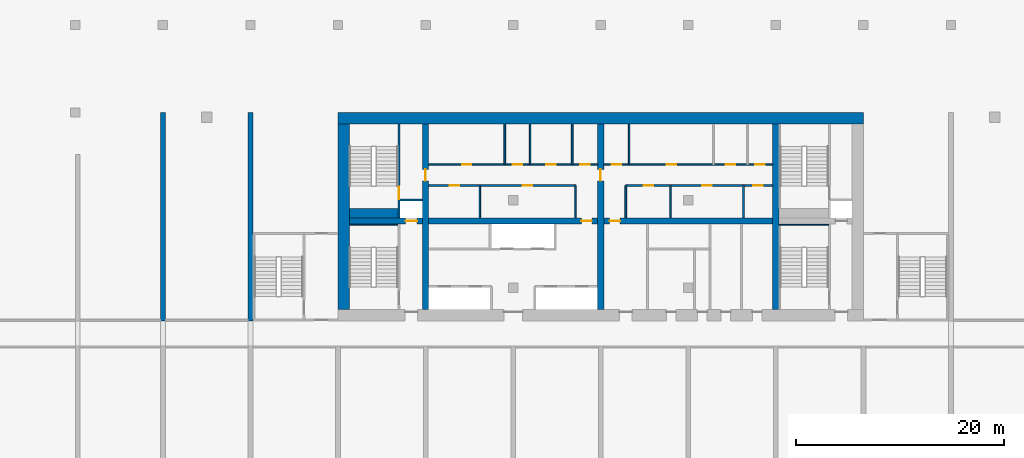
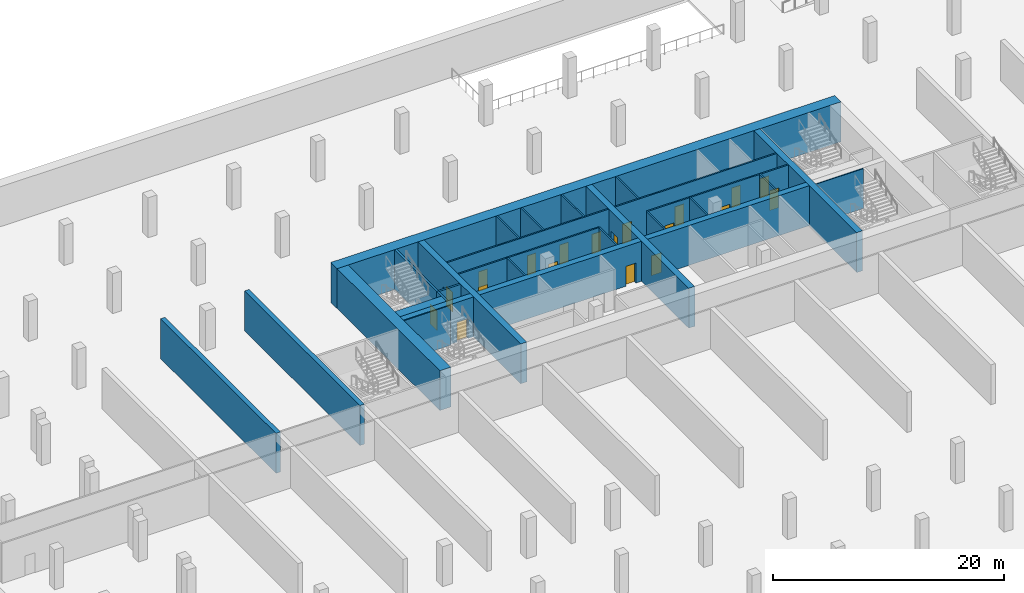
# One storey, part 7 of 12: 29 walls, 19 doors, 19 openings.
"""IFC4 building model written with IfcOpenShell, lengths in metres."""

from ifc_helpers import new_model, si_unit, direction, frame, frame_2d, origin, place, context, subcontext, project, spatial, rectangle, extrude, source, transform, mapped, material, layer, layer_set, type_object, element, fill, save


model = new_model("IFC4")

# Units and contexts
model_context = context("Model", 3, precision=1e-05, world=origin(), true_north=direction((0.0, 1.0)))
body_context = subcontext(model_context, "Body", "Model", "MODEL_VIEW")
ifc_project = project(units=[si_unit("LENGTHUNIT", "METRE"), si_unit("AREAUNIT", "SQUARE_METRE"), si_unit("VOLUMEUNIT", "CUBIC_METRE"), si_unit("PLANEANGLEUNIT", "RADIAN"), si_unit("MASSUNIT", "GRAM", prefix="KILO")], contexts=[model_context])

# Site, building, storey
site_placement = place(None, origin())
site = spatial("IfcSite", under=ifc_project, at=site_placement, CompositionType="ELEMENT")
building_placement = place(site_placement, origin())
building = spatial("IfcBuilding", under=site, at=building_placement, Name="Vanashikhar Sky Hotel", CompositionType="ELEMENT")
storey_placement = place(building_placement, frame((0.0, 0.0, -4.5)))
storey = spatial("IfcBuildingStorey", under=building, at=storey_placement, Name="B1", CompositionType="ELEMENT", Elevation=-4.5)

# Walls
ifc_material_1 = material(Name="Concrete M80", Category="concrete")
ifc_layer_1 = layer(ifc_material_1, 1.10009765625)
ifc_layer_set_1 = layer_set([ifc_layer_1], Name="RC core shell wall 1100 Concrete M80")
wall_type_1 = type_object("IfcWallType", Name="RC core shell wall 1100 Concrete M80", PredefinedType="SHEAR", material=ifc_layer_set_1)
shared_shape_1 = source(origin(), body_context, "Body", "SweptSolid", [
    extrude(rectangle(XDim=50.400146484375, YDim=1.10009765625, at=frame_2d((25.2001953125, 0.0))), origin(), (0.0, 0.0, 1.0), 4.219970703125),
])
wall_1_placement = place(storey_placement, frame((25.199951171875, 41.449951171875, 0.0), z_axis=(0.0, 0.0, 1.0), x_axis=(1.0, 0.0, 0.0)))
element("IfcWall", 1, at=wall_1_placement, inside=storey, type_object=wall_type_1, Name="KW-B1-KN", PredefinedType="SHEAR", context=body_context, shape_type="MappedRepresentation", body=[
    mapped(shared_shape_1, transform((0.0, 0.0, 0.0), scale=1.0)),
])
shared_shape_2 = source(origin(), body_context, "Body", "SweptSolid", [
    extrude(rectangle(XDim=17.7998046875, YDim=1.10009765625, at=frame_2d((8.89990234375, 0.0))), origin(), (0.0, 0.0, 1.0), 4.219970703125),
])
wall_2_placement = place(storey_placement, frame((25.75, 23.10009765625, 0.0), z_axis=(0.0, 0.0, 1.0), x_axis=(0.0, 1.0, 0.0)))
element("IfcWall", 2, at=wall_2_placement, inside=storey, type_object=wall_type_1, Name="KW-B1-KW", PredefinedType="SHEAR", context=body_context, shape_type="MappedRepresentation", body=[
    mapped(shared_shape_2, transform((0.0, 0.0, 0.0), scale=1.0)),
])

# Wall, opening, door
ifc_layer_2 = layer(ifc_material_1, 0.60009765625)
ifc_layer_set_2 = layer_set([ifc_layer_2], Name="RC core inner wall 600 Concrete M80")
wall_type_2 = type_object("IfcWallType", Name="RC core inner wall 600 Concrete M80", PredefinedType="SHEAR", material=ifc_layer_set_2)
shared_shape_3 = source(origin(), body_context, "Body", "SweptSolid", [
    extrude(rectangle(XDim=17.7998046875, YDim=0.60009765625, at=frame_2d((8.89990234375, 0.0))), origin(), (0.0, 0.0, 1.0), 4.219970703125),
])
wall_3_placement = place(storey_placement, frame((33.60009765625, 23.10009765625, 0.0), z_axis=(0.0, 0.0, 1.0), x_axis=(0.0, 1.0, 0.0)))
wall_3 = element("IfcWall", 3, at=wall_3_placement, inside=storey, type_object=wall_type_2, Name="KW-B1-KX1", PredefinedType="SHEAR", context=body_context, shape_type="MappedRepresentation", body=[
    mapped(shared_shape_3, transform((0.0, 0.0, 0.0), scale=1.0)),
])
shared_shape_4 = source(origin(), body_context, "Body", "SweptSolid", [
    extrude(rectangle(XDim=1.10009765625, YDim=2.10009765625, at=frame_2d((0.550048828125, 1.050048828125))), frame((0.0, 0.31005859375, 0.0), z_axis=(0.0, -1.0, 0.0), x_axis=(1.0, 0.0, 0.0)), (0.0, 0.0, 1.0), 0.6201171875),
])
opening_1_placement = place(wall_3_placement, frame((12.35009765625, 0.0, 0.0)))
opening_1 = element("IfcOpeningElement", 4, at=opening_1_placement, cuts=wall_3, Name="Opening DC-4-C", PredefinedType="OPENING", context=body_context, shape_type="MappedRepresentation", body=[
    mapped(shared_shape_4, transform((0.0, 0.0, 0.0), scale=1.0)),
])
ifc_material_2 = material(Name="Steel", Category="steel")
door_type_1 = type_object("IfcDoorType", Name="Service door 1100 FD60", OperationType="NOTDEFINED", PredefinedType="DOOR", material=ifc_material_2)
shared_shape_5 = source(origin(), body_context, "Body", "SweptSolid", [
    extrude(rectangle(XDim=1.10009765625, YDim=2.10009765625, at=frame_2d((0.550048828125, 1.050048828125))), frame((0.0, 0.02490234375, 0.0), z_axis=(0.0, -1.0, 0.0), x_axis=(1.0, 0.0, 0.0)), (0.0, 0.0, 1.0), 0.050048828125),
])
door_1_placement = place(opening_1_placement, origin())
door_1 = element("IfcDoor", 5, at=door_1_placement, inside=storey, type_object=door_type_1, Name="Service door 1100 FD60", OperationType="SINGLE_SWING_RIGHT", OverallHeight=2.10009765625, OverallWidth=1.10009765625, PredefinedType="DOOR", context=body_context, shape_type="MappedRepresentation", body=[
    mapped(shared_shape_5, transform((0.0, 0.0, 0.0), scale=1.0)),
])
fill(opening_1, door_1)

wall_4_placement = place(storey_placement, frame((50.39990234375, 23.10009765625, 0.0), z_axis=(0.0, 0.0, 1.0), x_axis=(0.0, 1.0, 0.0)))
wall_4 = element("IfcWall", 6, at=wall_4_placement, inside=storey, type_object=wall_type_2, Name="KW-B1-KX2", PredefinedType="SHEAR", context=body_context, shape_type="MappedRepresentation", body=[
    mapped(shared_shape_3, transform((0.0, 0.0, 0.0), scale=1.0)),
])
opening_2_placement = place(wall_4_placement, frame((12.35009765625, 0.0, 0.0)))
opening_2 = element("IfcOpeningElement", 7, at=opening_2_placement, cuts=wall_4, Name="Opening DC-4-C", PredefinedType="OPENING", context=body_context, shape_type="MappedRepresentation", body=[
    mapped(shared_shape_4, transform((0.0, 0.0, 0.0), scale=1.0)),
])
door_2_placement = place(opening_2_placement, origin())
door_2 = element("IfcDoor", 8, at=door_2_placement, inside=storey, type_object=door_type_1, Name="Service door 1100 FD60", OperationType="SINGLE_SWING_LEFT", OverallHeight=2.10009765625, OverallWidth=1.10009765625, PredefinedType="DOOR", context=body_context, shape_type="MappedRepresentation", body=[
    mapped(shared_shape_5, transform((0.0, 0.0, 0.0), scale=1.0)),
])
fill(opening_2, door_2)

# Wall
wall_5_placement = place(storey_placement, frame((67.199951171875, 23.10009765625, 0.0), z_axis=(0.0, 0.0, 1.0), x_axis=(0.0, 1.0, 0.0)))
element("IfcWall", 9, at=wall_5_placement, inside=storey, type_object=wall_type_2, Name="KW-B1-KX3", PredefinedType="SHEAR", context=body_context, shape_type="MappedRepresentation", body=[
    mapped(shared_shape_3, transform((0.0, 0.0, 0.0), scale=1.0)),
])

# Wall, opening, door
shared_shape_6 = source(origin(), body_context, "Body", "SweptSolid", [
    extrude(rectangle(XDim=7.0, YDim=0.60009765625, at=frame_2d((3.5, 0.0))), origin(), (0.0, 0.0, 1.0), 4.219970703125),
])
wall_6_placement = place(storey_placement, frame((26.300048828125, 31.60009765625, 0.0), z_axis=(0.0, 0.0, 1.0), x_axis=(1.0, 0.0, 0.0)))
wall_6 = element("IfcWall", 10, at=wall_6_placement, inside=storey, type_object=wall_type_2, Name="KW-B1-KY1", PredefinedType="SHEAR", context=body_context, shape_type="MappedRepresentation", body=[
    mapped(shared_shape_6, transform((0.0, 0.0, 0.0), scale=1.0)),
])
opening_3_placement = place(wall_6_placement, frame((5.375, 0.0, 0.0)))
opening_3 = element("IfcOpeningElement", 11, at=opening_3_placement, cuts=wall_6, Name="Opening LD", PredefinedType="OPENING", context=body_context, shape_type="MappedRepresentation", body=[
    mapped(shared_shape_4, transform((0.0, 0.0, 0.0), scale=1.0)),
])
ifc_material_3 = material(Name="Stainless steel", Category="steel")
door_type_2 = type_object("IfcDoorType", Name="Lift landing door 1100", OperationType="NOTDEFINED", PredefinedType="DOOR", material=ifc_material_3)
door_3_placement = place(opening_3_placement, origin())
door_3 = element("IfcDoor", 12, at=door_3_placement, inside=storey, type_object=door_type_2, Name="Lift landing door 1100", OperationType="SLIDING_TO_RIGHT", OverallHeight=2.10009765625, OverallWidth=1.10009765625, PredefinedType="DOOR", context=body_context, shape_type="MappedRepresentation", body=[
    mapped(shared_shape_5, transform((0.0, 0.0, 0.0), scale=1.0)),
])
fill(opening_3, door_3)

shared_shape_7 = source(origin(), body_context, "Body", "SweptSolid", [
    extrude(rectangle(XDim=16.2001953125, YDim=0.60009765625, at=frame_2d((8.10009765625, 0.0))), origin(), (0.0, 0.0, 1.0), 4.219970703125),
])
wall_7_placement = place(storey_placement, frame((33.89990234375, 31.60009765625, 0.0), z_axis=(0.0, 0.0, 1.0), x_axis=(1.0, 0.0, 0.0)))
wall_7 = element("IfcWall", 13, at=wall_7_placement, inside=storey, type_object=wall_type_2, Name="KW-B1-KY2", PredefinedType="SHEAR", context=body_context, shape_type="MappedRepresentation", body=[
    mapped(shared_shape_7, transform((0.0, 0.0, 0.0), scale=1.0)),
])
shared_shape_8 = source(origin(), body_context, "Body", "SweptSolid", [
    extrude(rectangle(XDim=1.0, YDim=2.10009765625, at=frame_2d((0.5, 1.050048828125))), frame((0.0, 0.31005859375, 0.0), z_axis=(0.0, -1.0, 0.0), x_axis=(1.0, 0.0, 0.0)), (0.0, 0.0, 1.0), 0.6201171875),
])
opening_4_placement = place(wall_7_placement, frame((14.64990234375, 0.0, 0.0)))
opening_4 = element("IfcOpeningElement", 14, at=opening_4_placement, cuts=wall_7, Name="Opening DC-4", PredefinedType="OPENING", context=body_context, shape_type="MappedRepresentation", body=[
    mapped(shared_shape_8, transform((0.0, 0.0, 0.0), scale=1.0)),
])
door_type_3 = type_object("IfcDoorType", Name="Service door 1000 FD60", OperationType="NOTDEFINED", PredefinedType="DOOR", material=ifc_material_2)
shared_shape_9 = source(origin(), body_context, "Body", "SweptSolid", [
    extrude(rectangle(XDim=1.0, YDim=2.10009765625, at=frame_2d((0.5, 1.050048828125))), frame((0.0, 0.02490234375, 0.0), z_axis=(0.0, -1.0, 0.0), x_axis=(1.0, 0.0, 0.0)), (0.0, 0.0, 1.0), 0.050048828125),
])
door_4_placement = place(opening_4_placement, origin())
door_4 = element("IfcDoor", 15, at=door_4_placement, inside=storey, type_object=door_type_3, Name="Service door 1000 FD60", OperationType="SINGLE_SWING_RIGHT", OverallHeight=2.10009765625, OverallWidth=1.0, PredefinedType="DOOR", context=body_context, shape_type="MappedRepresentation", body=[
    mapped(shared_shape_9, transform((0.0, 0.0, 0.0), scale=1.0)),
])
fill(opening_4, door_4)

shared_shape_10 = source(origin(), body_context, "Body", "SweptSolid", [
    extrude(rectangle(XDim=16.199951171875, YDim=0.60009765625, at=frame_2d((8.10009765625, 0.0))), origin(), (0.0, 0.0, 1.0), 4.219970703125),
])
wall_8_placement = place(storey_placement, frame((50.699951171875, 31.60009765625, 0.0), z_axis=(0.0, 0.0, 1.0), x_axis=(1.0, 0.0, 0.0)))
wall_8 = element("IfcWall", 16, at=wall_8_placement, inside=storey, type_object=wall_type_2, Name="KW-B1-KY3", PredefinedType="SHEAR", context=body_context, shape_type="MappedRepresentation", body=[
    mapped(shared_shape_10, transform((0.0, 0.0, 0.0), scale=1.0)),
])
opening_5_placement = place(wall_8_placement, frame((0.550048828125, 0.0, 0.0)))
opening_5 = element("IfcOpeningElement", 17, at=opening_5_placement, cuts=wall_8, Name="Opening DC-4", PredefinedType="OPENING", context=body_context, shape_type="MappedRepresentation", body=[
    mapped(shared_shape_8, transform((0.0, 0.0, 0.0), scale=1.0)),
])
door_5_placement = place(opening_5_placement, origin())
door_5 = element("IfcDoor", 18, at=door_5_placement, inside=storey, type_object=door_type_3, Name="Service door 1000 FD60", OperationType="SINGLE_SWING_RIGHT", OverallHeight=2.10009765625, OverallWidth=1.0, PredefinedType="DOOR", context=body_context, shape_type="MappedRepresentation", body=[
    mapped(shared_shape_9, transform((0.0, 0.0, 0.0), scale=1.0)),
])
fill(opening_5, door_5)

# Walls
ifc_layer_3 = layer(ifc_material_1, 0.449951171875)
ifc_layer_set_3 = layer_set([ifc_layer_3], Name="RC shear wall 450 Concrete M80")
wall_type_3 = type_object("IfcWallType", Name="RC shear wall 450 Concrete M80", PredefinedType="SHEAR", material=ifc_layer_set_3)
shared_shape_11 = source(origin(), body_context, "Body", "SweptSolid", [
    extrude(rectangle(XDim=20.0, YDim=0.449951171875, at=frame_2d((10.0, 0.0))), origin(), (0.0, 0.0, 1.0), 4.219970703125),
])
for number, where, z_axis, x_axis, name in (
    (19, (8.39990234375, 22.0, 0.0), (0.0, 0.0, 1.0), (0.0, 1.0, 0.0), "CW-B1-XW02-2"),
    (20, (16.800048828125, 22.0, 0.0), (0.0, 0.0, 1.0), (0.0, 1.0, 0.0), "CW-B1-XW03-2"),
):
    element("IfcWall", number, at=place(storey_placement, frame(where, z_axis=z_axis, x_axis=x_axis)), inside=storey, type_object=wall_type_3, Name=name, PredefinedType="SHEAR", context=body_context, shape_type="MappedRepresentation", body=[
        mapped(shared_shape_11, transform((0.0, 0.0, 0.0), scale=1.0)),
    ])
ifc_material_4 = material(Name="Gypsum board partition")
ifc_layer_4 = layer(ifc_material_4, 0.14990234375)
ifc_layer_set_4 = layer_set([ifc_layer_4], Name="Service partition 150")
wall_type_4 = type_object("IfcWallType", Name="Service partition 150", PredefinedType="PARTITIONING", material=ifc_layer_set_4)
shared_shape_12 = source(origin(), body_context, "Body", "SweptSolid", [
    extrude(rectangle(XDim=3.10009765625, YDim=0.14990234375, at=frame_2d((1.550048828125, 0.0))), origin(), (0.0, 0.0, 1.0), 4.219970703125),
])
for number, where, z_axis, x_axis, name in (
    (21, (48.0, 31.89990234375, 0.0), (0.0, 0.0, 1.0), (0.0, 1.0, 0.0), "Service partition 150"),
    (22, (38.80908203125, 31.89990234375, 0.0), (0.0, 0.0, 1.0), (0.0, 1.0, 0.0), "Service partition 150"),
    (23, (52.800048828125, 31.89990234375, 0.0), (0.0, 0.0, 1.0), (0.0, 1.0, 0.0), "Service partition 150"),
    (24, (64.094970703125, 31.89990234375, 0.0), (0.0, 0.0, 1.0), (0.0, 1.0, 0.0), "Service partition 150"),
    (25, (57.08203125, 31.89990234375, 0.0), (0.0, 0.0, 1.0), (0.0, 1.0, 0.0), "Service partition 150"),
):
    element("IfcWall", number, at=place(storey_placement, frame(where, z_axis=z_axis, x_axis=x_axis)), inside=storey, type_object=wall_type_4, Name=name, PredefinedType="PARTITIONING", context=body_context, shape_type="MappedRepresentation", body=[
        mapped(shared_shape_12, transform((0.0, 0.0, 0.0), scale=1.0)),
    ])

# Wall, openings, doors
shared_shape_13 = source(origin(), body_context, "Body", "SweptSolid", [
    extrude(rectangle(XDim=14.10009765625, YDim=0.14990234375, at=frame_2d((7.050048828125, 0.0))), origin(), (0.0, 0.0, 1.0), 4.219970703125),
])
wall_9_placement = place(storey_placement, frame((33.89990234375, 35.0, 0.0), z_axis=(0.0, 0.0, 1.0), x_axis=(1.0, 0.0, 0.0)))
wall_9 = element("IfcWall", 26, at=wall_9_placement, inside=storey, type_object=wall_type_4, Name="Service partition 150", PredefinedType="PARTITIONING", context=body_context, shape_type="MappedRepresentation", body=[
    mapped(shared_shape_13, transform((0.0, 0.0, 0.0), scale=1.0)),
])
shared_shape_14 = source(origin(), body_context, "Body", "SweptSolid", [
    extrude(rectangle(XDim=0.89990234375, YDim=2.10009765625, at=frame_2d((0.449951171875, 1.050048828125))), frame((0.0, 0.0849609375, 0.0), z_axis=(0.0, -1.0, 0.0), x_axis=(1.0, 0.0, 0.0)), (0.0, 0.0, 1.0), 0.169921875),
])
opening_6_placement = place(wall_9_placement, frame((2.00390625, 0.0, 0.0)))
opening_6 = element("IfcOpeningElement", 27, at=opening_6_placement, cuts=wall_9, Name="Opening DC-4-A", PredefinedType="OPENING", context=body_context, shape_type="MappedRepresentation", body=[
    mapped(shared_shape_14, transform((0.0, 0.0, 0.0), scale=1.0)),
])
opening_7_placement = place(wall_9_placement, frame((9.01708984375, 0.0, 0.0)))
opening_7 = element("IfcOpeningElement", 28, at=opening_7_placement, cuts=wall_9, Name="Opening DC-4-A", PredefinedType="OPENING", context=body_context, shape_type="MappedRepresentation", body=[
    mapped(shared_shape_14, transform((0.0, 0.0, 0.0), scale=1.0)),
])
door_type_4 = type_object("IfcDoorType", Name="Service door 900 FD60", OperationType="NOTDEFINED", PredefinedType="DOOR", material=ifc_material_2)
shared_shape_15 = source(origin(), body_context, "Body", "SweptSolid", [
    extrude(rectangle(XDim=0.89990234375, YDim=2.10009765625, at=frame_2d((0.449951171875, 1.050048828125))), frame((0.0, 0.02490234375, 0.0), z_axis=(0.0, -1.0, 0.0), x_axis=(1.0, 0.0, 0.0)), (0.0, 0.0, 1.0), 0.050048828125),
])
door_6_placement = place(opening_6_placement, origin())
door_6 = element("IfcDoor", 29, at=door_6_placement, inside=storey, type_object=door_type_4, Name="Service door 900 FD60", OperationType="SINGLE_SWING_LEFT", OverallHeight=2.10009765625, OverallWidth=0.89990234375, PredefinedType="DOOR", context=body_context, shape_type="MappedRepresentation", body=[
    mapped(shared_shape_15, transform((0.0, 0.0, 0.0), scale=1.0)),
])
fill(opening_6, door_6)
door_7_placement = place(opening_7_placement, origin())
door_7 = element("IfcDoor", 30, at=door_7_placement, inside=storey, type_object=door_type_4, Name="Service door 900 FD60", OperationType="SINGLE_SWING_RIGHT", OverallHeight=2.10009765625, OverallWidth=0.89990234375, PredefinedType="DOOR", context=body_context, shape_type="MappedRepresentation", body=[
    mapped(shared_shape_15, transform((0.0, 0.0, 0.0), scale=1.0)),
])
fill(opening_7, door_7)

shared_shape_16 = source(origin(), body_context, "Body", "SweptSolid", [
    extrude(rectangle(XDim=16.2001953125, YDim=0.14990234375, at=frame_2d((8.10009765625, 0.0))), origin(), (0.0, 0.0, 1.0), 4.219970703125),
])
wall_10_placement = place(storey_placement, frame((33.89990234375, 37.0, 0.0), z_axis=(0.0, 0.0, 1.0), x_axis=(1.0, 0.0, 0.0)))
wall_10 = element("IfcWall", 31, at=wall_10_placement, inside=storey, type_object=wall_type_4, Name="Service partition 150", PredefinedType="PARTITIONING", context=body_context, shape_type="MappedRepresentation", body=[
    mapped(shared_shape_16, transform((0.0, 0.0, 0.0), scale=1.0)),
])
opening_8_placement = place(wall_10_placement, frame((3.195068359375, 0.0, 0.0)))
opening_8 = element("IfcOpeningElement", 32, at=opening_8_placement, cuts=wall_10, Name="Opening DC-4-A", PredefinedType="OPENING", context=body_context, shape_type="MappedRepresentation", body=[
    mapped(shared_shape_14, transform((0.0, 0.0, 0.0), scale=1.0)),
])
opening_9_placement = place(wall_10_placement, frame((8.054931640625, 0.0, 0.0)))
opening_9 = element("IfcOpeningElement", 33, at=opening_9_placement, cuts=wall_10, Name="Opening DC-4-A", PredefinedType="OPENING", context=body_context, shape_type="MappedRepresentation", body=[
    mapped(shared_shape_14, transform((0.0, 0.0, 0.0), scale=1.0)),
])
opening_10_placement = place(wall_10_placement, frame((11.294921875, 0.0, 0.0)))
opening_10 = element("IfcOpeningElement", 34, at=opening_10_placement, cuts=wall_10, Name="Opening DC-4-A", PredefinedType="OPENING", context=body_context, shape_type="MappedRepresentation", body=[
    mapped(shared_shape_14, transform((0.0, 0.0, 0.0), scale=1.0)),
])
opening_11_placement = place(wall_10_placement, frame((14.534912109375, 0.0, 0.0)))
opening_11 = element("IfcOpeningElement", 35, at=opening_11_placement, cuts=wall_10, Name="Opening DC-4-A", PredefinedType="OPENING", context=body_context, shape_type="MappedRepresentation", body=[
    mapped(shared_shape_14, transform((0.0, 0.0, 0.0), scale=1.0)),
])
door_8_placement = place(opening_8_placement, origin())
door_8 = element("IfcDoor", 36, at=door_8_placement, inside=storey, type_object=door_type_4, Name="Service door 900 FD60", OperationType="SINGLE_SWING_RIGHT", OverallHeight=2.10009765625, OverallWidth=0.89990234375, PredefinedType="DOOR", context=body_context, shape_type="MappedRepresentation", body=[
    mapped(shared_shape_15, transform((0.0, 0.0, 0.0), scale=1.0)),
])
fill(opening_8, door_8)
door_9_placement = place(opening_9_placement, origin())
door_9 = element("IfcDoor", 37, at=door_9_placement, inside=storey, type_object=door_type_4, Name="Service door 900 FD60", OperationType="SINGLE_SWING_RIGHT", OverallHeight=2.10009765625, OverallWidth=0.89990234375, PredefinedType="DOOR", context=body_context, shape_type="MappedRepresentation", body=[
    mapped(shared_shape_15, transform((0.0, 0.0, 0.0), scale=1.0)),
])
fill(opening_9, door_9)
door_10_placement = place(opening_10_placement, origin())
door_10 = element("IfcDoor", 38, at=door_10_placement, inside=storey, type_object=door_type_4, Name="Service door 900 FD60", OperationType="SINGLE_SWING_LEFT", OverallHeight=2.10009765625, OverallWidth=0.89990234375, PredefinedType="DOOR", context=body_context, shape_type="MappedRepresentation", body=[
    mapped(shared_shape_15, transform((0.0, 0.0, 0.0), scale=1.0)),
])
fill(opening_10, door_10)
door_11_placement = place(opening_11_placement, origin())
door_11 = element("IfcDoor", 39, at=door_11_placement, inside=storey, type_object=door_type_4, Name="Service door 900 FD60", OperationType="SINGLE_SWING_LEFT", OverallHeight=2.10009765625, OverallWidth=0.89990234375, PredefinedType="DOOR", context=body_context, shape_type="MappedRepresentation", body=[
    mapped(shared_shape_15, transform((0.0, 0.0, 0.0), scale=1.0)),
])
fill(opening_11, door_11)

# Walls
shared_shape_17 = source(origin(), body_context, "Body", "SweptSolid", [
    extrude(rectangle(XDim=3.89990234375, YDim=0.14990234375, at=frame_2d((1.949951171875, 0.0))), origin(), (0.0, 0.0, 1.0), 4.219970703125),
])
for number, where, z_axis, x_axis, name in (
    (40, (41.18994140625, 37.0, 0.0), (0.0, 0.0, 1.0), (0.0, 1.0, 0.0), "Service partition 150"),
    (41, (43.6201171875, 37.0, 0.0), (0.0, 0.0, 1.0), (0.0, 1.0, 0.0), "Service partition 150"),
    (42, (47.669921875, 37.0, 0.0), (0.0, 0.0, 1.0), (0.0, 1.0, 0.0), "Service partition 150"),
    (43, (53.1298828125, 37.0, 0.0), (0.0, 0.0, 1.0), (0.0, 1.0, 0.0), "Service partition 150"),
):
    element("IfcWall", number, at=place(storey_placement, frame(where, z_axis=z_axis, x_axis=x_axis)), inside=storey, type_object=wall_type_4, Name=name, PredefinedType="PARTITIONING", context=body_context, shape_type="MappedRepresentation", body=[
        mapped(shared_shape_17, transform((0.0, 0.0, 0.0), scale=1.0)),
    ])

# Wall, openings, doors
shared_shape_18 = source(origin(), body_context, "Body", "SweptSolid", [
    extrude(rectangle(XDim=14.099853515625, YDim=0.14990234375, at=frame_2d((7.0498046875, 0.0))), origin(), (0.0, 0.0, 1.0), 4.219970703125),
])
wall_11_placement = place(storey_placement, frame((66.89990234375, 35.0, 0.0), z_axis=(0.0, 0.0, 1.0), x_axis=(-1.0, 0.0, 0.0)))
wall_11 = element("IfcWall", 44, at=wall_11_placement, inside=storey, type_object=wall_type_4, Name="Service partition 150", PredefinedType="PARTITIONING", context=body_context, shape_type="MappedRepresentation", body=[
    mapped(shared_shape_18, transform((0.0, 0.0, 0.0), scale=1.0)),
])
opening_12_placement = place(wall_11_placement, frame((0.951904296875, 0.0, 0.0)))
opening_12 = element("IfcOpeningElement", 45, at=opening_12_placement, cuts=wall_11, Name="Opening DC-4-A", PredefinedType="OPENING", context=body_context, shape_type="MappedRepresentation", body=[
    mapped(shared_shape_14, transform((0.0, 0.0, 0.0), scale=1.0)),
])
opening_13_placement = place(wall_11_placement, frame((5.861083984375, 0.0, 0.0)))
opening_13 = element("IfcOpeningElement", 46, at=opening_13_placement, cuts=wall_11, Name="Opening DC-4-A", PredefinedType="OPENING", context=body_context, shape_type="MappedRepresentation", body=[
    mapped(shared_shape_14, transform((0.0, 0.0, 0.0), scale=1.0)),
])
opening_14_placement = place(wall_11_placement, frame((11.470947265625, 0.0, 0.0)))
opening_14 = element("IfcOpeningElement", 47, at=opening_14_placement, cuts=wall_11, Name="Opening DC-4-A", PredefinedType="OPENING", context=body_context, shape_type="MappedRepresentation", body=[
    mapped(shared_shape_14, transform((0.0, 0.0, 0.0), scale=1.0)),
])
door_12_placement = place(opening_12_placement, origin())
door_12 = element("IfcDoor", 48, at=door_12_placement, inside=storey, type_object=door_type_4, Name="Service door 900 FD60", OperationType="SINGLE_SWING_RIGHT", OverallHeight=2.10009765625, OverallWidth=0.89990234375, PredefinedType="DOOR", context=body_context, shape_type="MappedRepresentation", body=[
    mapped(shared_shape_15, transform((0.0, 0.0, 0.0), scale=1.0)),
])
fill(opening_12, door_12)
door_13_placement = place(opening_13_placement, origin())
door_13 = element("IfcDoor", 49, at=door_13_placement, inside=storey, type_object=door_type_4, Name="Service door 900 FD60", OperationType="SINGLE_SWING_RIGHT", OverallHeight=2.10009765625, OverallWidth=0.89990234375, PredefinedType="DOOR", context=body_context, shape_type="MappedRepresentation", body=[
    mapped(shared_shape_15, transform((0.0, 0.0, 0.0), scale=1.0)),
])
fill(opening_13, door_13)
door_14_placement = place(opening_14_placement, origin())
door_14 = element("IfcDoor", 50, at=door_14_placement, inside=storey, type_object=door_type_4, Name="Service door 900 FD60", OperationType="SINGLE_SWING_LEFT", OverallHeight=2.10009765625, OverallWidth=0.89990234375, PredefinedType="DOOR", context=body_context, shape_type="MappedRepresentation", body=[
    mapped(shared_shape_15, transform((0.0, 0.0, 0.0), scale=1.0)),
])
fill(opening_14, door_14)

shared_shape_19 = source(origin(), body_context, "Body", "SweptSolid", [
    extrude(rectangle(XDim=16.199951171875, YDim=0.14990234375, at=frame_2d((8.10009765625, 0.0))), origin(), (0.0, 0.0, 1.0), 4.219970703125),
])
wall_12_placement = place(storey_placement, frame((66.89990234375, 37.0, 0.0), z_axis=(0.0, 0.0, 1.0), x_axis=(-1.0, 0.0, 0.0)))
wall_12 = element("IfcWall", 51, at=wall_12_placement, inside=storey, type_object=wall_type_4, Name="Service partition 150", PredefinedType="PARTITIONING", context=body_context, shape_type="MappedRepresentation", body=[
    mapped(shared_shape_19, transform((0.0, 0.0, 0.0), scale=1.0)),
])
opening_15_placement = place(wall_12_placement, frame((0.764892578125, 0.0, 0.0)))
opening_15 = element("IfcOpeningElement", 52, at=opening_15_placement, cuts=wall_12, Name="Opening DC-4-A", PredefinedType="OPENING", context=body_context, shape_type="MappedRepresentation", body=[
    mapped(shared_shape_14, transform((0.0, 0.0, 0.0), scale=1.0)),
])
opening_16_placement = place(wall_12_placement, frame((3.60009765625, 0.0, 0.0)))
opening_16 = element("IfcOpeningElement", 53, at=opening_16_placement, cuts=wall_12, Name="Opening DC-4-A", PredefinedType="OPENING", context=body_context, shape_type="MappedRepresentation", body=[
    mapped(shared_shape_14, transform((0.0, 0.0, 0.0), scale=1.0)),
])
opening_17_placement = place(wall_12_placement, frame((9.27001953125, 0.0, 0.0)))
opening_17 = element("IfcOpeningElement", 54, at=opening_17_placement, cuts=wall_12, Name="Opening DC-4-A", PredefinedType="OPENING", context=body_context, shape_type="MappedRepresentation", body=[
    mapped(shared_shape_14, transform((0.0, 0.0, 0.0), scale=1.0)),
])
opening_18_placement = place(wall_12_placement, frame((14.534912109375, 0.0, 0.0)))
opening_18 = element("IfcOpeningElement", 55, at=opening_18_placement, cuts=wall_12, Name="Opening DC-4-A", PredefinedType="OPENING", context=body_context, shape_type="MappedRepresentation", body=[
    mapped(shared_shape_14, transform((0.0, 0.0, 0.0), scale=1.0)),
])
door_15_placement = place(opening_15_placement, origin())
door_15 = element("IfcDoor", 56, at=door_15_placement, inside=storey, type_object=door_type_4, Name="Service door 900 FD60", OperationType="SINGLE_SWING_LEFT", OverallHeight=2.10009765625, OverallWidth=0.89990234375, PredefinedType="DOOR", context=body_context, shape_type="MappedRepresentation", body=[
    mapped(shared_shape_15, transform((0.0, 0.0, 0.0), scale=1.0)),
])
fill(opening_15, door_15)
door_16_placement = place(opening_16_placement, origin())
door_16 = element("IfcDoor", 57, at=door_16_placement, inside=storey, type_object=door_type_4, Name="Service door 900 FD60", OperationType="SINGLE_SWING_LEFT", OverallHeight=2.10009765625, OverallWidth=0.89990234375, PredefinedType="DOOR", context=body_context, shape_type="MappedRepresentation", body=[
    mapped(shared_shape_15, transform((0.0, 0.0, 0.0), scale=1.0)),
])
fill(opening_16, door_16)
door_17_placement = place(opening_17_placement, origin())
door_17 = element("IfcDoor", 58, at=door_17_placement, inside=storey, type_object=door_type_4, Name="Service door 900 FD60", OperationType="SINGLE_SWING_RIGHT", OverallHeight=2.10009765625, OverallWidth=0.89990234375, PredefinedType="DOOR", context=body_context, shape_type="MappedRepresentation", body=[
    mapped(shared_shape_15, transform((0.0, 0.0, 0.0), scale=1.0)),
])
fill(opening_17, door_17)
door_18_placement = place(opening_18_placement, origin())
door_18 = element("IfcDoor", 59, at=door_18_placement, inside=storey, type_object=door_type_4, Name="Service door 900 FD60", OperationType="SINGLE_SWING_RIGHT", OverallHeight=2.10009765625, OverallWidth=0.89990234375, PredefinedType="DOOR", context=body_context, shape_type="MappedRepresentation", body=[
    mapped(shared_shape_15, transform((0.0, 0.0, 0.0), scale=1.0)),
])
fill(opening_18, door_18)

# Walls
ifc_material_5 = material(Name="Concrete M40", Category="concrete")
ifc_layer_5 = layer(ifc_material_5, 0.199951171875)
ifc_layer_set_5 = layer_set([ifc_layer_5], Name="Shaft wall 200")
wall_type_5 = type_object("IfcWallType", Name="Shaft wall 200", PredefinedType="SOLIDWALL", material=ifc_layer_set_5)
shared_shape_20 = source(origin(), body_context, "Body", "SweptSolid", [
    extrude(rectangle(XDim=1.7001953125, YDim=0.199951171875, at=frame_2d((0.85009765625, 0.0))), origin(), (0.0, 0.0, 1.0), 4.219970703125),
])
wall_13_placement = place(storey_placement, frame((31.050048828125, 31.89990234375, 0.0), z_axis=(0.0, 0.0, 1.0), x_axis=(0.0, 1.0, 0.0)))
element("IfcWall", 60, at=wall_13_placement, inside=storey, type_object=wall_type_5, Name="Shaft wall 200", PredefinedType="SOLIDWALL", context=body_context, shape_type="MappedRepresentation", body=[
    mapped(shared_shape_20, transform((0.0, 0.0, 0.0), scale=1.0)),
])
shared_shape_21 = source(origin(), body_context, "Body", "SweptSolid", [
    extrude(rectangle(XDim=2.150146484375, YDim=0.199951171875, at=frame_2d((1.0751953125, 0.0))), origin(), (0.0, 0.0, 1.0), 4.219970703125),
])
wall_14_placement = place(storey_placement, frame((31.14990234375, 33.60009765625, 0.0), z_axis=(0.0, 0.0, 1.0), x_axis=(1.0, 0.0, 0.0)))
element("IfcWall", 61, at=wall_14_placement, inside=storey, type_object=wall_type_5, Name="Shaft wall 200", PredefinedType="SOLIDWALL", context=body_context, shape_type="MappedRepresentation", body=[
    mapped(shared_shape_21, transform((0.0, 0.0, 0.0), scale=1.0)),
])

# Wall, opening, door
ifc_material_6 = material(Name="Concrete M50", Category="concrete")
ifc_layer_6 = layer(ifc_material_6, 0.199951171875)
ifc_layer_set_6 = layer_set([ifc_layer_6], Name="Stair wall 200")
wall_type_6 = type_object("IfcWallType", Name="Stair wall 200", PredefinedType="SOLIDWALL", material=ifc_layer_set_6)
shared_shape_22 = source(origin(), body_context, "Body", "SweptSolid", [
    extrude(rectangle(XDim=7.2998046875, YDim=0.199951171875, at=frame_2d((3.64990234375, 0.0))), origin(), (0.0, 0.0, 1.0), 4.219970703125),
])
wall_15_placement = place(storey_placement, frame((31.050048828125, 33.60009765625, 0.0), z_axis=(0.0, 0.0, 1.0), x_axis=(0.0, 1.0, 0.0)))
wall_15 = element("IfcWall", 62, at=wall_15_placement, inside=storey, type_object=wall_type_6, Name="Stair wall 200", PredefinedType="SOLIDWALL", context=body_context, shape_type="MappedRepresentation", body=[
    mapped(shared_shape_22, transform((0.0, 0.0, 0.0), scale=1.0)),
])
shared_shape_23 = source(origin(), body_context, "Body", "SweptSolid", [
    extrude(rectangle(XDim=1.199951171875, YDim=2.10009765625, at=frame_2d((0.60009765625, 1.050048828125))), frame((0.0, 0.10986328125, 0.0), z_axis=(0.0, -1.0, 0.0), x_axis=(1.0, 0.0, 0.0)), (0.0, 0.0, 1.0), 0.219970703125),
])
opening_19_placement = place(wall_15_placement, frame((0.10009765625, 0.0, 0.0)))
opening_19 = element("IfcOpeningElement", 63, at=opening_19_placement, cuts=wall_15, Name="Opening DC-1", PredefinedType="OPENING", context=body_context, shape_type="MappedRepresentation", body=[
    mapped(shared_shape_23, transform((0.0, 0.0, 0.0), scale=1.0)),
])
door_type_5 = type_object("IfcDoorType", Name="Stair door 1200 FD120", OperationType="NOTDEFINED", PredefinedType="DOOR", material=ifc_material_2)
shared_shape_24 = source(origin(), body_context, "Body", "SweptSolid", [
    extrude(rectangle(XDim=1.199951171875, YDim=2.10009765625, at=frame_2d((0.60009765625, 1.050048828125))), frame((0.0, 0.02490234375, 0.0), z_axis=(0.0, -1.0, 0.0), x_axis=(1.0, 0.0, 0.0)), (0.0, 0.0, 1.0), 0.050048828125),
])
door_19_placement = place(opening_19_placement, origin())
door_19 = element("IfcDoor", 64, at=door_19_placement, inside=storey, type_object=door_type_5, Name="Stair door 1200 FD120", OperationType="SINGLE_SWING_RIGHT", OverallHeight=2.10009765625, OverallWidth=1.199951171875, PredefinedType="DOOR", context=body_context, shape_type="MappedRepresentation", body=[
    mapped(shared_shape_24, transform((0.0, 0.0, 0.0), scale=1.0)),
])
fill(opening_19, door_19)

# Walls
ifc_layer_7 = layer(ifc_material_6, 0.10009765625)
ifc_layer_set_7 = layer_set([ifc_layer_7], Name="Stair infill wall 100")
wall_type_7 = type_object("IfcWallType", Name="Stair infill wall 100", PredefinedType="SOLIDWALL", material=ifc_layer_set_7)
shared_shape_25 = source(origin(), body_context, "Body", "SweptSolid", [
    extrude(rectangle(XDim=4.64990234375, YDim=0.10009765625, at=frame_2d((2.324951171875, 0.0))), origin(), (0.0, 0.0, 1.0), 4.219970703125),
])
wall_16_placement = place(storey_placement, frame((26.300048828125, 31.25, 0.0), z_axis=(0.0, 0.0, 1.0), x_axis=(1.0, 0.0, 0.0)))
element("IfcWall", 65, at=wall_16_placement, inside=storey, type_object=wall_type_7, Name="Stair infill wall 100", PredefinedType="SOLIDWALL", context=body_context, shape_type="MappedRepresentation", body=[
    mapped(shared_shape_25, transform((0.0, 0.0, 0.0), scale=1.0)),
])
shared_shape_26 = source(origin(), body_context, "Body", "SweptSolid", [
    extrude(rectangle(XDim=4.75, YDim=0.10009765625, at=frame_2d((2.375, 0.0))), origin(), (0.0, 0.0, 1.0), 4.219970703125),
])
wall_17_placement = place(storey_placement, frame((67.5, 31.25, 0.0), z_axis=(0.0, 0.0, 1.0), x_axis=(1.0, 0.0, 0.0)))
element("IfcWall", 66, at=wall_17_placement, inside=storey, type_object=wall_type_7, Name="Stair infill wall 100", PredefinedType="SOLIDWALL", context=body_context, shape_type="MappedRepresentation", body=[
    mapped(shared_shape_26, transform((0.0, 0.0, 0.0), scale=1.0)),
])
ifc_layer_8 = layer(ifc_material_6, 0.89990234375)
ifc_layer_set_8 = layer_set([ifc_layer_8], Name="Stair infill wall 900")
wall_type_8 = type_object("IfcWallType", Name="Stair infill wall 900", PredefinedType="SOLIDWALL", material=ifc_layer_set_8)
shared_shape_27 = source(origin(), body_context, "Body", "SweptSolid", [
    extrude(rectangle(XDim=4.64990234375, YDim=0.89990234375, at=frame_2d((2.324951171875, 0.0))), origin(), (0.0, 0.0, 1.0), 4.219970703125),
])
wall_18_placement = place(storey_placement, frame((26.300048828125, 32.35009765625, 0.0), z_axis=(0.0, 0.0, 1.0), x_axis=(1.0, 0.0, 0.0)))
element("IfcWall", 67, at=wall_18_placement, inside=storey, type_object=wall_type_8, Name="Stair infill wall 900", PredefinedType="SOLIDWALL", context=body_context, shape_type="MappedRepresentation", body=[
    mapped(shared_shape_27, transform((0.0, 0.0, 0.0), scale=1.0)),
])

save(model, "model.ifc")
